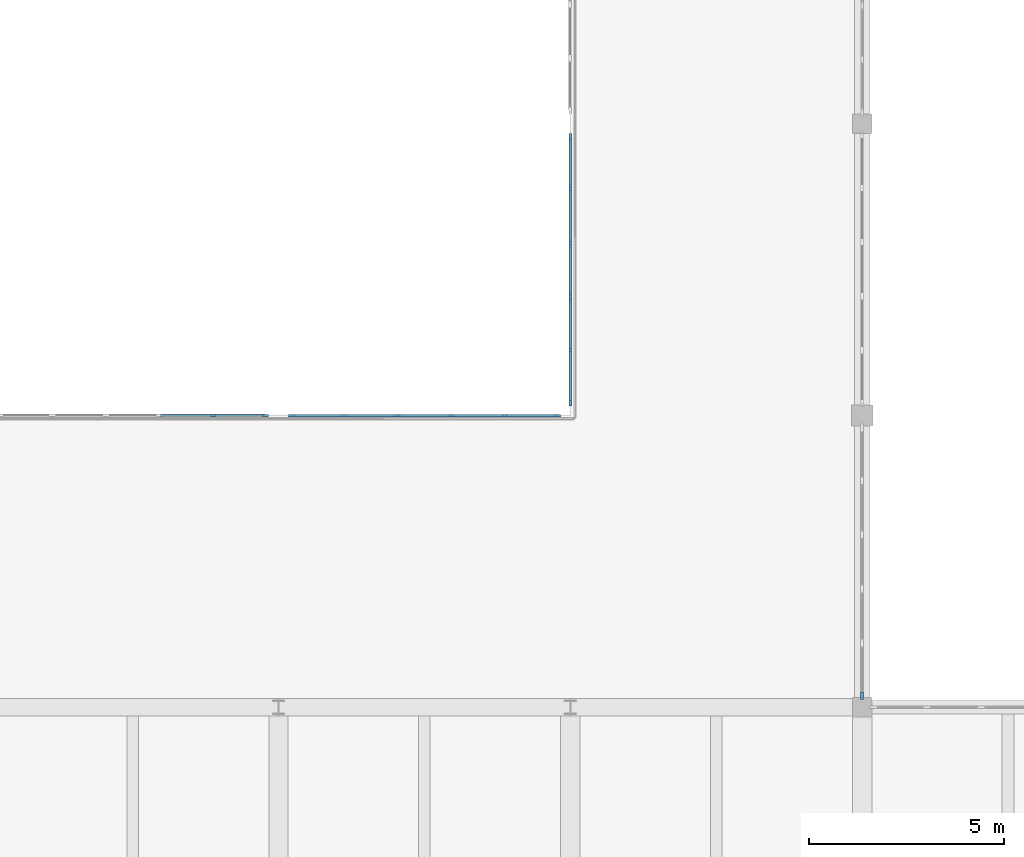
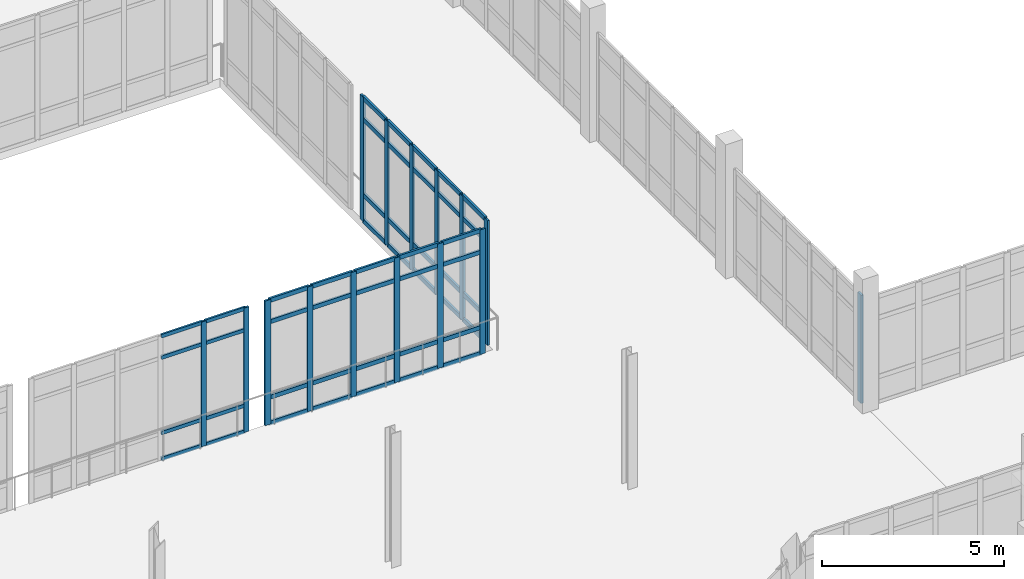
# One storey, part 38 of 128: 63 members, 4 elements without a shape of their own.
"""IFC4 building model written with IfcOpenShell, lengths in metres."""

from ifc_helpers import new_model, si_unit, direction, frame, origin, origin_2d, place, context, subcontext, project, spatial, rectangle, extrude, material, layer, layer_set, material_profile, profile_set, type_object, element, aggregate, save


model = new_model("IFC4")

# Units and contexts
model_context = context("Model", 3, precision=1e-05, world=origin(), true_north=direction((0.0, 1.0)))
body_context = subcontext(model_context, "Body", "Model", "MODEL_VIEW")
ifc_project = project(units=[si_unit("LENGTHUNIT", "METRE"), si_unit("AREAUNIT", "SQUARE_METRE"), si_unit("VOLUMEUNIT", "CUBIC_METRE"), si_unit("PLANEANGLEUNIT", "RADIAN"), si_unit("MASSUNIT", "GRAM", prefix="KILO")], contexts=[model_context])

# Site, building, storey
site_placement = place(None, origin())
site = spatial("IfcSite", under=ifc_project, at=site_placement, CompositionType="ELEMENT")
building_placement = place(site_placement, origin())
building = spatial("IfcBuilding", under=site, at=building_placement, Name="Dalvernix Boulevard General Hospital", CompositionType="ELEMENT")
storey_placement = place(building_placement, frame((0.0, 0.0, 4.800048828125)))
storey = spatial("IfcBuildingStorey", under=building, at=storey_placement, Name="L01", CompositionType="ELEMENT", Elevation=4.800048828125)

# Curtain wall, members
ifc_material_1 = material(Name="Thermally broken aluminium and solar-control glass curtain wall", Category="aluminium")
ifc_layer_1 = layer(ifc_material_1, 0.159912109375)
ifc_layer_set_1 = layer_set([ifc_layer_1], Name="Thermally broken aluminium and solar-control glass curtain wall (CW-CW-A-69x42)")
curtain_wall_type_1 = type_object("IfcCurtainWallType", Name="CW-CW-A-69x42", PredefinedType="USERDEFINED", material=ifc_layer_set_1)
curtain_wall_1_placement = place(storey_placement, origin())
curtain_wall_1 = element("IfcCurtainWall", 1, at=curtain_wall_1_placement, inside=storey, type_object=curtain_wall_type_1, Name="L01 curtain wall CW-A-69x42 12-5", ObjectType="GLAZED FACADE", PredefinedType="USERDEFINED")
ifc_material_2 = material(Name="Aluminium EN AW-6060", Category="aluminium")
ifc_material_profile_1 = material_profile(ifc_material_2, rectangle(XDim=0.06005859375, YDim=0.159912109375, at=origin_2d()), Name="ALU MULL 60x160")
ifc_profile_set_1 = profile_set([ifc_material_profile_1], Name="Aluminium EN AW-6060")
member_type_1 = type_object("IfcMemberType", Name="MEM-CW-M1", PredefinedType="MULLION", material=ifc_profile_set_1)
member_1_placement = place(storey_placement, frame((95.81396484375, 39.0, 0.0), z_axis=(0.0, 0.0, 1.0), x_axis=(0.0, 1.0, 0.0)))
member_1 = element("IfcMember", 2, at=member_1_placement, type_object=member_type_1, Name="CW-A-69x42 mullion 5", PredefinedType="MULLION", context=body_context, shape_type="SweptSolid", body=[
    extrude(rectangle(XDim=0.06005859375, YDim=0.159912109375, at=origin_2d()), origin(), (0.0, 0.0, 1.0), 4.179931640625),
])
member_2_placement = place(storey_placement, frame((97.159912109375, 39.0, 0.0), z_axis=(0.0, 0.0, 1.0), x_axis=(0.0, 1.0, 0.0)))
member_2 = element("IfcMember", 3, at=member_2_placement, type_object=member_type_1, Name="CW-A-69x42 mullion 6", PredefinedType="MULLION", context=body_context, shape_type="SweptSolid", body=[
    extrude(rectangle(XDim=0.06005859375, YDim=0.159912109375, at=origin_2d()), origin(), (0.0, 0.0, 1.0), 4.179931640625),
])

ifc_layer_2 = layer(ifc_material_1, 0.179931640625)
ifc_layer_set_2 = layer_set([ifc_layer_2], Name="Thermally broken aluminium and solar-control glass curtain wall (CW-CW-B-69x42)")
curtain_wall_type_2 = type_object("IfcCurtainWallType", Name="CW-CW-B-69x42", PredefinedType="USERDEFINED", material=ifc_layer_set_2)
curtain_wall_2_placement = place(storey_placement, origin())
curtain_wall_2 = element("IfcCurtainWall", 4, at=curtain_wall_2_placement, inside=storey, type_object=curtain_wall_type_2, Name="L01 curtain wall CW-B-69x42 13-5", ObjectType="GLAZED FACADE", PredefinedType="USERDEFINED")
ifc_material_profile_2 = material_profile(ifc_material_2, rectangle(XDim=0.06494140625, YDim=0.179931640625, at=origin_2d()), Name="ALU MULL 65x180")
ifc_profile_set_2 = profile_set([ifc_material_profile_2], Name="Aluminium EN AW-6060")
member_type_2 = type_object("IfcMemberType", Name="MEM-CW-M2", PredefinedType="MULLION", material=ifc_profile_set_2)
member_3_placement = place(storey_placement, frame((97.842529296875, 39.0, 0.0), z_axis=(0.0, 0.0, 1.0), x_axis=(0.0, 1.0, 0.0)))
member_3 = element("IfcMember", 5, at=member_3_placement, type_object=member_type_2, Name="CW-B-69x42 mullion 1", PredefinedType="MULLION", context=body_context, shape_type="SweptSolid", body=[
    extrude(rectangle(XDim=0.06494140625, YDim=0.179931640625, at=origin_2d()), origin(), (0.0, 0.0, 1.0), 4.179931640625),
])
member_4_placement = place(storey_placement, frame((99.18603515625, 39.0, 0.0), z_axis=(0.0, 0.0, 1.0), x_axis=(0.0, 1.0, 0.0)))
member_4 = element("IfcMember", 6, at=member_4_placement, type_object=member_type_2, Name="CW-B-69x42 mullion 2", PredefinedType="MULLION", context=body_context, shape_type="SweptSolid", body=[
    extrude(rectangle(XDim=0.06494140625, YDim=0.179931640625, at=origin_2d()), origin(), (0.0, 0.0, 1.0), 4.179931640625),
])
member_5_placement = place(storey_placement, frame((100.56201171875, 39.0, 0.0), z_axis=(0.0, 0.0, 1.0), x_axis=(0.0, 1.0, 0.0)))
member_5 = element("IfcMember", 7, at=member_5_placement, type_object=member_type_2, Name="CW-B-69x42 mullion 3", PredefinedType="MULLION", context=body_context, shape_type="SweptSolid", body=[
    extrude(rectangle(XDim=0.06494140625, YDim=0.179931640625, at=origin_2d()), origin(), (0.0, 0.0, 1.0), 4.179931640625),
])
member_6_placement = place(storey_placement, frame((101.93798828125, 39.0, 0.0), z_axis=(0.0, 0.0, 1.0), x_axis=(0.0, 1.0, 0.0)))
member_6 = element("IfcMember", 8, at=member_6_placement, type_object=member_type_2, Name="CW-B-69x42 mullion 4", PredefinedType="MULLION", context=body_context, shape_type="SweptSolid", body=[
    extrude(rectangle(XDim=0.06494140625, YDim=0.179931640625, at=origin_2d()), origin(), (0.0, 0.0, 1.0), 4.179931640625),
])
member_7_placement = place(storey_placement, frame((103.31396484375, 39.0, 0.0), z_axis=(0.0, 0.0, 1.0), x_axis=(0.0, 1.0, 0.0)))
member_7 = element("IfcMember", 9, at=member_7_placement, type_object=member_type_2, Name="CW-B-69x42 mullion 5", PredefinedType="MULLION", context=body_context, shape_type="SweptSolid", body=[
    extrude(rectangle(XDim=0.06494140625, YDim=0.179931640625, at=origin_2d()), origin(), (0.0, 0.0, 1.0), 4.179931640625),
])
member_8_placement = place(storey_placement, frame((104.657470703125, 39.0, 0.0), z_axis=(0.0, 0.0, 1.0), x_axis=(0.0, 1.0, 0.0)))
member_8 = element("IfcMember", 10, at=member_8_placement, type_object=member_type_2, Name="CW-B-69x42 mullion 6", PredefinedType="MULLION", context=body_context, shape_type="SweptSolid", body=[
    extrude(rectangle(XDim=0.06494140625, YDim=0.179931640625, at=origin_2d()), origin(), (0.0, 0.0, 1.0), 4.179931640625),
])

# Curtain wall, member
ifc_layer_3 = layer(ifc_material_1, 0.199951171875)
ifc_layer_set_3 = layer_set([ifc_layer_3], Name="Thermally broken aluminium and solar-control glass curtain wall (CW-CW-C-70x36)")
curtain_wall_type_3 = type_object("IfcCurtainWallType", Name="CW-CW-C-70x36", PredefinedType="USERDEFINED", material=ifc_layer_set_3)
curtain_wall_3_placement = place(storey_placement, origin())
curtain_wall_3 = element("IfcCurtainWall", 11, at=curtain_wall_3_placement, inside=storey, type_object=curtain_wall_type_3, Name="L01 curtain wall CW-C-70x36 15-4", ObjectType="GLAZED FACADE", PredefinedType="USERDEFINED")
ifc_material_profile_3 = material_profile(ifc_material_2, rectangle(XDim=0.070068359375, YDim=0.199951171875, at=origin_2d()), Name="ALU MULL 70x200")
ifc_profile_set_3 = profile_set([ifc_material_profile_3], Name="Aluminium EN AW-6060")
member_type_3 = type_object("IfcMemberType", Name="MEM-CW-M3", PredefinedType="MULLION", material=ifc_profile_set_3)
member_9_placement = place(storey_placement, frame((112.5, 31.794921875, 0.0), z_axis=(0.0, 0.0, 1.0), x_axis=(1.0, 0.0, 0.0)))
member_9 = element("IfcMember", 12, at=member_9_placement, type_object=member_type_3, Name="CW-C-70x36 mullion 6", PredefinedType="MULLION", context=body_context, shape_type="SweptSolid", body=[
    extrude(rectangle(XDim=0.070068359375, YDim=0.199951171875, at=origin_2d()), origin(), (0.0, 0.0, 1.0), 3.6298828125),
])
aggregate(curtain_wall_3, [member_9])

# Curtain wall, members
ifc_layer_4 = layer(ifc_material_1, 0.199951171875)
ifc_layer_set_4 = layer_set([ifc_layer_4], Name="Thermally broken aluminium and solar-control glass curtain wall (CW-CW-C-69x42)")
curtain_wall_type_4 = type_object("IfcCurtainWallType", Name="CW-CW-C-69x42", PredefinedType="USERDEFINED", material=ifc_layer_set_4)
curtain_wall_4_placement = place(storey_placement, origin())
curtain_wall_4 = element("IfcCurtainWall", 13, at=curtain_wall_4_placement, inside=storey, type_object=curtain_wall_type_4, Name="L01 curtain wall CW-C-69x42 14-5", ObjectType="GLAZED FACADE", PredefinedType="USERDEFINED")
member_10_placement = place(storey_placement, frame((105.0, 39.344970703125, 0.0), z_axis=(0.0, 0.0, 1.0), x_axis=(-1.0, 0.0, 0.0)))
member_10 = element("IfcMember", 14, at=member_10_placement, type_object=member_type_3, Name="CW-C-69x42 mullion 1", PredefinedType="MULLION", context=body_context, shape_type="SweptSolid", body=[
    extrude(rectangle(XDim=0.070068359375, YDim=0.199951171875, at=origin_2d()), origin(), (0.0, 0.0, 1.0), 4.179931640625),
])
member_11_placement = place(storey_placement, frame((105.0, 40.68603515625, 0.0), z_axis=(0.0, 0.0, 1.0), x_axis=(-1.0, 0.0, 0.0)))
member_11 = element("IfcMember", 15, at=member_11_placement, type_object=member_type_3, Name="CW-C-69x42 mullion 2", PredefinedType="MULLION", context=body_context, shape_type="SweptSolid", body=[
    extrude(rectangle(XDim=0.070068359375, YDim=0.199951171875, at=origin_2d()), origin(), (0.0, 0.0, 1.0), 4.179931640625),
])
member_12_placement = place(storey_placement, frame((105.0, 42.06201171875, 0.0), z_axis=(0.0, 0.0, 1.0), x_axis=(-1.0, 0.0, 0.0)))
member_12 = element("IfcMember", 16, at=member_12_placement, type_object=member_type_3, Name="CW-C-69x42 mullion 3", PredefinedType="MULLION", context=body_context, shape_type="SweptSolid", body=[
    extrude(rectangle(XDim=0.070068359375, YDim=0.199951171875, at=origin_2d()), origin(), (0.0, 0.0, 1.0), 4.179931640625),
])
member_13_placement = place(storey_placement, frame((105.0, 43.43798828125, 0.0), z_axis=(0.0, 0.0, 1.0), x_axis=(-1.0, 0.0, 0.0)))
member_13 = element("IfcMember", 17, at=member_13_placement, type_object=member_type_3, Name="CW-C-69x42 mullion 4", PredefinedType="MULLION", context=body_context, shape_type="SweptSolid", body=[
    extrude(rectangle(XDim=0.070068359375, YDim=0.199951171875, at=origin_2d()), origin(), (0.0, 0.0, 1.0), 4.179931640625),
])
member_14_placement = place(storey_placement, frame((105.0, 44.81396484375, 0.0), z_axis=(0.0, 0.0, 1.0), x_axis=(-1.0, 0.0, 0.0)))
member_14 = element("IfcMember", 18, at=member_14_placement, type_object=member_type_3, Name="CW-C-69x42 mullion 5", PredefinedType="MULLION", context=body_context, shape_type="SweptSolid", body=[
    extrude(rectangle(XDim=0.070068359375, YDim=0.199951171875, at=origin_2d()), origin(), (0.0, 0.0, 1.0), 4.179931640625),
])
member_15_placement = place(storey_placement, frame((105.0, 46.155029296875, 0.0), z_axis=(0.0, 0.0, 1.0), x_axis=(-1.0, 0.0, 0.0)))
member_15 = element("IfcMember", 19, at=member_15_placement, type_object=member_type_3, Name="CW-C-69x42 mullion 6", PredefinedType="MULLION", context=body_context, shape_type="SweptSolid", body=[
    extrude(rectangle(XDim=0.070068359375, YDim=0.199951171875, at=origin_2d()), origin(), (0.0, 0.0, 1.0), 4.179931640625),
])

# Member
ifc_material_profile_4 = material_profile(ifc_material_2, rectangle(XDim=0.06005859375, YDim=0.1201171875, at=origin_2d()), Name="ALU TRAN 60x120")
ifc_profile_set_4 = profile_set([ifc_material_profile_4], Name="Aluminium EN AW-6060")
member_type_4 = type_object("IfcMemberType", Name="MEM-CW-T1", PredefinedType="USERDEFINED", material=ifc_profile_set_4)
member_16_placement = place(storey_placement, frame((94.468017578125, 39.0, 0.030029296875), z_axis=(1.0, 0.0, 0.0), x_axis=(0.0, 1.0, 0.0)))
member_16 = element("IfcMember", 20, at=member_16_placement, type_object=member_type_4, Name="CW-A-69x42 transom 4.1", ObjectType="TRANSOM", PredefinedType="USERDEFINED", context=body_context, shape_type="SweptSolid", body=[
    extrude(rectangle(XDim=0.06005859375, YDim=0.1201171875, at=origin_2d()), origin(), (0.0, 0.0, 1.0), 1.31591796875),
])

member_17_placement = place(storey_placement, frame((94.468017578125, 39.0, 0.89990234375), z_axis=(1.0, 0.0, 0.0), x_axis=(0.0, 1.0, 0.0)))
member_17 = element("IfcMember", 21, at=member_17_placement, type_object=member_type_4, Name="CW-A-69x42 transom 4.2", ObjectType="TRANSOM", PredefinedType="USERDEFINED", context=body_context, shape_type="SweptSolid", body=[
    extrude(rectangle(XDim=0.06005859375, YDim=0.1201171875, at=origin_2d()), origin(), (0.0, 0.0, 1.0), 1.31591796875),
])

member_18_placement = place(storey_placement, frame((94.468017578125, 39.0, 3.429931640625), z_axis=(1.0, 0.0, 0.0), x_axis=(0.0, 1.0, 0.0)))
member_18 = element("IfcMember", 22, at=member_18_placement, type_object=member_type_4, Name="CW-A-69x42 transom 4.3", ObjectType="TRANSOM", PredefinedType="USERDEFINED", context=body_context, shape_type="SweptSolid", body=[
    extrude(rectangle(XDim=0.06005859375, YDim=0.1201171875, at=origin_2d()), origin(), (0.0, 0.0, 1.0), 1.31591796875),
])

member_19_placement = place(storey_placement, frame((94.468017578125, 39.0, 4.14990234375), z_axis=(1.0, 0.0, 0.0), x_axis=(0.0, 1.0, 0.0)))
member_19 = element("IfcMember", 23, at=member_19_placement, type_object=member_type_4, Name="CW-A-69x42 transom 4.4", ObjectType="TRANSOM", PredefinedType="USERDEFINED", context=body_context, shape_type="SweptSolid", body=[
    extrude(rectangle(XDim=0.06005859375, YDim=0.1201171875, at=origin_2d()), origin(), (0.0, 0.0, 1.0), 1.31591796875),
])

member_20_placement = place(storey_placement, frame((95.843994140625, 39.0, 0.030029296875), z_axis=(1.0, 0.0, 0.0), x_axis=(0.0, 1.0, 0.0)))
member_20 = element("IfcMember", 24, at=member_20_placement, type_object=member_type_4, Name="CW-A-69x42 transom 5.1", ObjectType="TRANSOM", PredefinedType="USERDEFINED", context=body_context, shape_type="SweptSolid", body=[
    extrude(rectangle(XDim=0.06005859375, YDim=0.1201171875, at=origin_2d()), origin(), (0.0, 0.0, 1.0), 1.285888671875),
])

member_21_placement = place(storey_placement, frame((95.843994140625, 39.0, 0.89990234375), z_axis=(1.0, 0.0, 0.0), x_axis=(0.0, 1.0, 0.0)))
member_21 = element("IfcMember", 25, at=member_21_placement, type_object=member_type_4, Name="CW-A-69x42 transom 5.2", ObjectType="TRANSOM", PredefinedType="USERDEFINED", context=body_context, shape_type="SweptSolid", body=[
    extrude(rectangle(XDim=0.06005859375, YDim=0.1201171875, at=origin_2d()), origin(), (0.0, 0.0, 1.0), 1.285888671875),
])

member_22_placement = place(storey_placement, frame((95.843994140625, 39.0, 3.429931640625), z_axis=(1.0, 0.0, 0.0), x_axis=(0.0, 1.0, 0.0)))
member_22 = element("IfcMember", 26, at=member_22_placement, type_object=member_type_4, Name="CW-A-69x42 transom 5.3", ObjectType="TRANSOM", PredefinedType="USERDEFINED", context=body_context, shape_type="SweptSolid", body=[
    extrude(rectangle(XDim=0.06005859375, YDim=0.1201171875, at=origin_2d()), origin(), (0.0, 0.0, 1.0), 1.285888671875),
])

member_23_placement = place(storey_placement, frame((95.843994140625, 39.0, 4.14990234375), z_axis=(1.0, 0.0, 0.0), x_axis=(0.0, 1.0, 0.0)))
member_23 = element("IfcMember", 27, at=member_23_placement, type_object=member_type_4, Name="CW-A-69x42 transom 5.4", ObjectType="TRANSOM", PredefinedType="USERDEFINED", context=body_context, shape_type="SweptSolid", body=[
    extrude(rectangle(XDim=0.06005859375, YDim=0.1201171875, at=origin_2d()), origin(), (0.0, 0.0, 1.0), 1.285888671875),
])

aggregate(curtain_wall_1, [member_1, member_2, member_16, member_17, member_18, member_19, member_20, member_21, member_22, member_23])

ifc_material_profile_5 = material_profile(ifc_material_2, rectangle(XDim=0.06494140625, YDim=0.139892578125, at=origin_2d()), Name="ALU TRAN 65x140")
ifc_profile_set_5 = profile_set([ifc_material_profile_5], Name="Aluminium EN AW-6060")
member_type_5 = type_object("IfcMemberType", Name="MEM-CW-T2", PredefinedType="USERDEFINED", material=ifc_profile_set_5)
member_24_placement = place(storey_placement, frame((97.875, 39.0, 0.032470703125), z_axis=(1.0, 0.0, 0.0), x_axis=(0.0, 1.0, 0.0)))
member_24 = element("IfcMember", 28, at=member_24_placement, type_object=member_type_5, Name="CW-B-69x42 transom 1.1", ObjectType="TRANSOM", PredefinedType="USERDEFINED", context=body_context, shape_type="SweptSolid", body=[
    extrude(rectangle(XDim=0.06494140625, YDim=0.139892578125, at=origin_2d()), origin(), (0.0, 0.0, 1.0), 1.278564453125),
])

member_25_placement = place(storey_placement, frame((97.875, 39.0, 0.89990234375), z_axis=(1.0, 0.0, 0.0), x_axis=(0.0, 1.0, 0.0)))
member_25 = element("IfcMember", 29, at=member_25_placement, type_object=member_type_5, Name="CW-B-69x42 transom 1.2", ObjectType="TRANSOM", PredefinedType="USERDEFINED", context=body_context, shape_type="SweptSolid", body=[
    extrude(rectangle(XDim=0.06494140625, YDim=0.139892578125, at=origin_2d()), origin(), (0.0, 0.0, 1.0), 1.278564453125),
])

member_26_placement = place(storey_placement, frame((97.875, 39.0, 3.429931640625), z_axis=(1.0, 0.0, 0.0), x_axis=(0.0, 1.0, 0.0)))
member_26 = element("IfcMember", 30, at=member_26_placement, type_object=member_type_5, Name="CW-B-69x42 transom 1.3", ObjectType="TRANSOM", PredefinedType="USERDEFINED", context=body_context, shape_type="SweptSolid", body=[
    extrude(rectangle(XDim=0.06494140625, YDim=0.139892578125, at=origin_2d()), origin(), (0.0, 0.0, 1.0), 1.278564453125),
])

member_27_placement = place(storey_placement, frame((97.875, 39.0, 4.1474609375), z_axis=(1.0, 0.0, 0.0), x_axis=(0.0, 1.0, 0.0)))
member_27 = element("IfcMember", 31, at=member_27_placement, type_object=member_type_5, Name="CW-B-69x42 transom 1.4", ObjectType="TRANSOM", PredefinedType="USERDEFINED", context=body_context, shape_type="SweptSolid", body=[
    extrude(rectangle(XDim=0.06494140625, YDim=0.139892578125, at=origin_2d()), origin(), (0.0, 0.0, 1.0), 1.278564453125),
])

member_28_placement = place(storey_placement, frame((99.218505859375, 39.0, 0.032470703125), z_axis=(1.0, 0.0, 0.0), x_axis=(0.0, 1.0, 0.0)))
member_28 = element("IfcMember", 32, at=member_28_placement, type_object=member_type_5, Name="CW-B-69x42 transom 2.1", ObjectType="TRANSOM", PredefinedType="USERDEFINED", context=body_context, shape_type="SweptSolid", body=[
    extrude(rectangle(XDim=0.06494140625, YDim=0.139892578125, at=origin_2d()), origin(), (0.0, 0.0, 1.0), 1.31103515625),
])

member_29_placement = place(storey_placement, frame((99.218505859375, 39.0, 0.89990234375), z_axis=(1.0, 0.0, 0.0), x_axis=(0.0, 1.0, 0.0)))
member_29 = element("IfcMember", 33, at=member_29_placement, type_object=member_type_5, Name="CW-B-69x42 transom 2.2", ObjectType="TRANSOM", PredefinedType="USERDEFINED", context=body_context, shape_type="SweptSolid", body=[
    extrude(rectangle(XDim=0.06494140625, YDim=0.139892578125, at=origin_2d()), origin(), (0.0, 0.0, 1.0), 1.31103515625),
])

member_30_placement = place(storey_placement, frame((99.218505859375, 39.0, 3.429931640625), z_axis=(1.0, 0.0, 0.0), x_axis=(0.0, 1.0, 0.0)))
member_30 = element("IfcMember", 34, at=member_30_placement, type_object=member_type_5, Name="CW-B-69x42 transom 2.3", ObjectType="TRANSOM", PredefinedType="USERDEFINED", context=body_context, shape_type="SweptSolid", body=[
    extrude(rectangle(XDim=0.06494140625, YDim=0.139892578125, at=origin_2d()), origin(), (0.0, 0.0, 1.0), 1.31103515625),
])

member_31_placement = place(storey_placement, frame((99.218505859375, 39.0, 4.1474609375), z_axis=(1.0, 0.0, 0.0), x_axis=(0.0, 1.0, 0.0)))
member_31 = element("IfcMember", 35, at=member_31_placement, type_object=member_type_5, Name="CW-B-69x42 transom 2.4", ObjectType="TRANSOM", PredefinedType="USERDEFINED", context=body_context, shape_type="SweptSolid", body=[
    extrude(rectangle(XDim=0.06494140625, YDim=0.139892578125, at=origin_2d()), origin(), (0.0, 0.0, 1.0), 1.31103515625),
])

member_32_placement = place(storey_placement, frame((100.594482421875, 39.0, 0.032470703125), z_axis=(1.0, 0.0, 0.0), x_axis=(0.0, 1.0, 0.0)))
member_32 = element("IfcMember", 36, at=member_32_placement, type_object=member_type_5, Name="CW-B-69x42 transom 3.1", ObjectType="TRANSOM", PredefinedType="USERDEFINED", context=body_context, shape_type="SweptSolid", body=[
    extrude(rectangle(XDim=0.06494140625, YDim=0.139892578125, at=origin_2d()), origin(), (0.0, 0.0, 1.0), 1.31103515625),
])

member_33_placement = place(storey_placement, frame((100.594482421875, 39.0, 0.89990234375), z_axis=(1.0, 0.0, 0.0), x_axis=(0.0, 1.0, 0.0)))
member_33 = element("IfcMember", 37, at=member_33_placement, type_object=member_type_5, Name="CW-B-69x42 transom 3.2", ObjectType="TRANSOM", PredefinedType="USERDEFINED", context=body_context, shape_type="SweptSolid", body=[
    extrude(rectangle(XDim=0.06494140625, YDim=0.139892578125, at=origin_2d()), origin(), (0.0, 0.0, 1.0), 1.31103515625),
])

member_34_placement = place(storey_placement, frame((100.594482421875, 39.0, 3.429931640625), z_axis=(1.0, 0.0, 0.0), x_axis=(0.0, 1.0, 0.0)))
member_34 = element("IfcMember", 38, at=member_34_placement, type_object=member_type_5, Name="CW-B-69x42 transom 3.3", ObjectType="TRANSOM", PredefinedType="USERDEFINED", context=body_context, shape_type="SweptSolid", body=[
    extrude(rectangle(XDim=0.06494140625, YDim=0.139892578125, at=origin_2d()), origin(), (0.0, 0.0, 1.0), 1.31103515625),
])

member_35_placement = place(storey_placement, frame((100.594482421875, 39.0, 4.1474609375), z_axis=(1.0, 0.0, 0.0), x_axis=(0.0, 1.0, 0.0)))
member_35 = element("IfcMember", 39, at=member_35_placement, type_object=member_type_5, Name="CW-B-69x42 transom 3.4", ObjectType="TRANSOM", PredefinedType="USERDEFINED", context=body_context, shape_type="SweptSolid", body=[
    extrude(rectangle(XDim=0.06494140625, YDim=0.139892578125, at=origin_2d()), origin(), (0.0, 0.0, 1.0), 1.31103515625),
])

member_36_placement = place(storey_placement, frame((101.970458984375, 39.0, 0.032470703125), z_axis=(1.0, 0.0, 0.0), x_axis=(0.0, 1.0, 0.0)))
member_36 = element("IfcMember", 40, at=member_36_placement, type_object=member_type_5, Name="CW-B-69x42 transom 4.1", ObjectType="TRANSOM", PredefinedType="USERDEFINED", context=body_context, shape_type="SweptSolid", body=[
    extrude(rectangle(XDim=0.06494140625, YDim=0.139892578125, at=origin_2d()), origin(), (0.0, 0.0, 1.0), 1.31103515625),
])

member_37_placement = place(storey_placement, frame((101.970458984375, 39.0, 0.89990234375), z_axis=(1.0, 0.0, 0.0), x_axis=(0.0, 1.0, 0.0)))
member_37 = element("IfcMember", 41, at=member_37_placement, type_object=member_type_5, Name="CW-B-69x42 transom 4.2", ObjectType="TRANSOM", PredefinedType="USERDEFINED", context=body_context, shape_type="SweptSolid", body=[
    extrude(rectangle(XDim=0.06494140625, YDim=0.139892578125, at=origin_2d()), origin(), (0.0, 0.0, 1.0), 1.31103515625),
])

member_38_placement = place(storey_placement, frame((101.970458984375, 39.0, 3.429931640625), z_axis=(1.0, 0.0, 0.0), x_axis=(0.0, 1.0, 0.0)))
member_38 = element("IfcMember", 42, at=member_38_placement, type_object=member_type_5, Name="CW-B-69x42 transom 4.3", ObjectType="TRANSOM", PredefinedType="USERDEFINED", context=body_context, shape_type="SweptSolid", body=[
    extrude(rectangle(XDim=0.06494140625, YDim=0.139892578125, at=origin_2d()), origin(), (0.0, 0.0, 1.0), 1.31103515625),
])

member_39_placement = place(storey_placement, frame((101.970458984375, 39.0, 4.1474609375), z_axis=(1.0, 0.0, 0.0), x_axis=(0.0, 1.0, 0.0)))
member_39 = element("IfcMember", 43, at=member_39_placement, type_object=member_type_5, Name="CW-B-69x42 transom 4.4", ObjectType="TRANSOM", PredefinedType="USERDEFINED", context=body_context, shape_type="SweptSolid", body=[
    extrude(rectangle(XDim=0.06494140625, YDim=0.139892578125, at=origin_2d()), origin(), (0.0, 0.0, 1.0), 1.31103515625),
])

member_40_placement = place(storey_placement, frame((103.346435546875, 39.0, 0.032470703125), z_axis=(1.0, 0.0, 0.0), x_axis=(0.0, 1.0, 0.0)))
member_40 = element("IfcMember", 44, at=member_40_placement, type_object=member_type_5, Name="CW-B-69x42 transom 5.1", ObjectType="TRANSOM", PredefinedType="USERDEFINED", context=body_context, shape_type="SweptSolid", body=[
    extrude(rectangle(XDim=0.06494140625, YDim=0.139892578125, at=origin_2d()), origin(), (0.0, 0.0, 1.0), 1.278564453125),
])

member_41_placement = place(storey_placement, frame((103.346435546875, 39.0, 0.89990234375), z_axis=(1.0, 0.0, 0.0), x_axis=(0.0, 1.0, 0.0)))
member_41 = element("IfcMember", 45, at=member_41_placement, type_object=member_type_5, Name="CW-B-69x42 transom 5.2", ObjectType="TRANSOM", PredefinedType="USERDEFINED", context=body_context, shape_type="SweptSolid", body=[
    extrude(rectangle(XDim=0.06494140625, YDim=0.139892578125, at=origin_2d()), origin(), (0.0, 0.0, 1.0), 1.278564453125),
])

member_42_placement = place(storey_placement, frame((103.346435546875, 39.0, 3.429931640625), z_axis=(1.0, 0.0, 0.0), x_axis=(0.0, 1.0, 0.0)))
member_42 = element("IfcMember", 46, at=member_42_placement, type_object=member_type_5, Name="CW-B-69x42 transom 5.3", ObjectType="TRANSOM", PredefinedType="USERDEFINED", context=body_context, shape_type="SweptSolid", body=[
    extrude(rectangle(XDim=0.06494140625, YDim=0.139892578125, at=origin_2d()), origin(), (0.0, 0.0, 1.0), 1.278564453125),
])

member_43_placement = place(storey_placement, frame((103.346435546875, 39.0, 4.1474609375), z_axis=(1.0, 0.0, 0.0), x_axis=(0.0, 1.0, 0.0)))
member_43 = element("IfcMember", 47, at=member_43_placement, type_object=member_type_5, Name="CW-B-69x42 transom 5.4", ObjectType="TRANSOM", PredefinedType="USERDEFINED", context=body_context, shape_type="SweptSolid", body=[
    extrude(rectangle(XDim=0.06494140625, YDim=0.139892578125, at=origin_2d()), origin(), (0.0, 0.0, 1.0), 1.278564453125),
])

aggregate(curtain_wall_2, [member_3, member_4, member_5, member_6, member_7, member_8, member_24, member_25, member_26, member_27, member_28, member_29, member_30, member_31, member_32, member_33, member_34, member_35, member_36, member_37, member_38, member_39, member_40, member_41, member_42, member_43])

ifc_material_profile_6 = material_profile(ifc_material_2, rectangle(XDim=0.070068359375, YDim=0.14990234375, at=origin_2d()), Name="ALU TRAN 70x150")
ifc_profile_set_6 = profile_set([ifc_material_profile_6], Name="Aluminium EN AW-6060")
member_type_6 = type_object("IfcMemberType", Name="MEM-CW-T3", PredefinedType="USERDEFINED", material=ifc_profile_set_6)
member_44_placement = place(storey_placement, frame((105.0, 39.3798828125, 0.034912109375), z_axis=(0.0, 1.0, 0.0), x_axis=(-1.0, 0.0, 0.0)))
member_44 = element("IfcMember", 48, at=member_44_placement, type_object=member_type_6, Name="CW-C-69x42 transom 1.1", ObjectType="TRANSOM", PredefinedType="USERDEFINED", context=body_context, shape_type="SweptSolid", body=[
    extrude(rectangle(XDim=0.070068359375, YDim=0.14990234375, at=origin_2d()), origin(), (0.0, 0.0, 1.0), 1.27099609375),
])

member_45_placement = place(storey_placement, frame((105.0, 39.3798828125, 0.89990234375), z_axis=(0.0, 1.0, 0.0), x_axis=(-1.0, 0.0, 0.0)))
member_45 = element("IfcMember", 49, at=member_45_placement, type_object=member_type_6, Name="CW-C-69x42 transom 1.2", ObjectType="TRANSOM", PredefinedType="USERDEFINED", context=body_context, shape_type="SweptSolid", body=[
    extrude(rectangle(XDim=0.070068359375, YDim=0.14990234375, at=origin_2d()), origin(), (0.0, 0.0, 1.0), 1.27099609375),
])

member_46_placement = place(storey_placement, frame((105.0, 39.3798828125, 3.429931640625), z_axis=(0.0, 1.0, 0.0), x_axis=(-1.0, 0.0, 0.0)))
member_46 = element("IfcMember", 50, at=member_46_placement, type_object=member_type_6, Name="CW-C-69x42 transom 1.3", ObjectType="TRANSOM", PredefinedType="USERDEFINED", context=body_context, shape_type="SweptSolid", body=[
    extrude(rectangle(XDim=0.070068359375, YDim=0.14990234375, at=origin_2d()), origin(), (0.0, 0.0, 1.0), 1.27099609375),
])

member_47_placement = place(storey_placement, frame((105.0, 39.3798828125, 4.14501953125), z_axis=(0.0, 1.0, 0.0), x_axis=(-1.0, 0.0, 0.0)))
member_47 = element("IfcMember", 51, at=member_47_placement, type_object=member_type_6, Name="CW-C-69x42 transom 1.4", ObjectType="TRANSOM", PredefinedType="USERDEFINED", context=body_context, shape_type="SweptSolid", body=[
    extrude(rectangle(XDim=0.070068359375, YDim=0.14990234375, at=origin_2d()), origin(), (0.0, 0.0, 1.0), 1.27099609375),
])

member_48_placement = place(storey_placement, frame((105.0, 40.720947265625, 0.034912109375), z_axis=(0.0, 1.0, 0.0), x_axis=(-1.0, 0.0, 0.0)))
member_48 = element("IfcMember", 52, at=member_48_placement, type_object=member_type_6, Name="CW-C-69x42 transom 2.1", ObjectType="TRANSOM", PredefinedType="USERDEFINED", context=body_context, shape_type="SweptSolid", body=[
    extrude(rectangle(XDim=0.070068359375, YDim=0.14990234375, at=origin_2d()), origin(), (0.0, 0.0, 1.0), 1.30615234375),
])

member_49_placement = place(storey_placement, frame((105.0, 40.720947265625, 0.89990234375), z_axis=(0.0, 1.0, 0.0), x_axis=(-1.0, 0.0, 0.0)))
member_49 = element("IfcMember", 53, at=member_49_placement, type_object=member_type_6, Name="CW-C-69x42 transom 2.2", ObjectType="TRANSOM", PredefinedType="USERDEFINED", context=body_context, shape_type="SweptSolid", body=[
    extrude(rectangle(XDim=0.070068359375, YDim=0.14990234375, at=origin_2d()), origin(), (0.0, 0.0, 1.0), 1.30615234375),
])

member_50_placement = place(storey_placement, frame((105.0, 40.720947265625, 3.429931640625), z_axis=(0.0, 1.0, 0.0), x_axis=(-1.0, 0.0, 0.0)))
member_50 = element("IfcMember", 54, at=member_50_placement, type_object=member_type_6, Name="CW-C-69x42 transom 2.3", ObjectType="TRANSOM", PredefinedType="USERDEFINED", context=body_context, shape_type="SweptSolid", body=[
    extrude(rectangle(XDim=0.070068359375, YDim=0.14990234375, at=origin_2d()), origin(), (0.0, 0.0, 1.0), 1.30615234375),
])

member_51_placement = place(storey_placement, frame((105.0, 40.720947265625, 4.14501953125), z_axis=(0.0, 1.0, 0.0), x_axis=(-1.0, 0.0, 0.0)))
member_51 = element("IfcMember", 55, at=member_51_placement, type_object=member_type_6, Name="CW-C-69x42 transom 2.4", ObjectType="TRANSOM", PredefinedType="USERDEFINED", context=body_context, shape_type="SweptSolid", body=[
    extrude(rectangle(XDim=0.070068359375, YDim=0.14990234375, at=origin_2d()), origin(), (0.0, 0.0, 1.0), 1.30615234375),
])

member_52_placement = place(storey_placement, frame((105.0, 42.096923828125, 0.034912109375), z_axis=(0.0, 1.0, 0.0), x_axis=(-1.0, 0.0, 0.0)))
member_52 = element("IfcMember", 56, at=member_52_placement, type_object=member_type_6, Name="CW-C-69x42 transom 3.1", ObjectType="TRANSOM", PredefinedType="USERDEFINED", context=body_context, shape_type="SweptSolid", body=[
    extrude(rectangle(XDim=0.070068359375, YDim=0.14990234375, at=origin_2d()), origin(), (0.0, 0.0, 1.0), 1.30615234375),
])

member_53_placement = place(storey_placement, frame((105.0, 42.096923828125, 0.89990234375), z_axis=(0.0, 1.0, 0.0), x_axis=(-1.0, 0.0, 0.0)))
member_53 = element("IfcMember", 57, at=member_53_placement, type_object=member_type_6, Name="CW-C-69x42 transom 3.2", ObjectType="TRANSOM", PredefinedType="USERDEFINED", context=body_context, shape_type="SweptSolid", body=[
    extrude(rectangle(XDim=0.070068359375, YDim=0.14990234375, at=origin_2d()), origin(), (0.0, 0.0, 1.0), 1.30615234375),
])

member_54_placement = place(storey_placement, frame((105.0, 42.096923828125, 3.429931640625), z_axis=(0.0, 1.0, 0.0), x_axis=(-1.0, 0.0, 0.0)))
member_54 = element("IfcMember", 58, at=member_54_placement, type_object=member_type_6, Name="CW-C-69x42 transom 3.3", ObjectType="TRANSOM", PredefinedType="USERDEFINED", context=body_context, shape_type="SweptSolid", body=[
    extrude(rectangle(XDim=0.070068359375, YDim=0.14990234375, at=origin_2d()), origin(), (0.0, 0.0, 1.0), 1.30615234375),
])

member_55_placement = place(storey_placement, frame((105.0, 42.096923828125, 4.14501953125), z_axis=(0.0, 1.0, 0.0), x_axis=(-1.0, 0.0, 0.0)))
member_55 = element("IfcMember", 59, at=member_55_placement, type_object=member_type_6, Name="CW-C-69x42 transom 3.4", ObjectType="TRANSOM", PredefinedType="USERDEFINED", context=body_context, shape_type="SweptSolid", body=[
    extrude(rectangle(XDim=0.070068359375, YDim=0.14990234375, at=origin_2d()), origin(), (0.0, 0.0, 1.0), 1.30615234375),
])

member_56_placement = place(storey_placement, frame((105.0, 43.472900390625, 0.034912109375), z_axis=(0.0, 1.0, 0.0), x_axis=(-1.0, 0.0, 0.0)))
member_56 = element("IfcMember", 60, at=member_56_placement, type_object=member_type_6, Name="CW-C-69x42 transom 4.1", ObjectType="TRANSOM", PredefinedType="USERDEFINED", context=body_context, shape_type="SweptSolid", body=[
    extrude(rectangle(XDim=0.070068359375, YDim=0.14990234375, at=origin_2d()), origin(), (0.0, 0.0, 1.0), 1.30615234375),
])

member_57_placement = place(storey_placement, frame((105.0, 43.472900390625, 0.89990234375), z_axis=(0.0, 1.0, 0.0), x_axis=(-1.0, 0.0, 0.0)))
member_57 = element("IfcMember", 61, at=member_57_placement, type_object=member_type_6, Name="CW-C-69x42 transom 4.2", ObjectType="TRANSOM", PredefinedType="USERDEFINED", context=body_context, shape_type="SweptSolid", body=[
    extrude(rectangle(XDim=0.070068359375, YDim=0.14990234375, at=origin_2d()), origin(), (0.0, 0.0, 1.0), 1.30615234375),
])

member_58_placement = place(storey_placement, frame((105.0, 43.472900390625, 3.429931640625), z_axis=(0.0, 1.0, 0.0), x_axis=(-1.0, 0.0, 0.0)))
member_58 = element("IfcMember", 62, at=member_58_placement, type_object=member_type_6, Name="CW-C-69x42 transom 4.3", ObjectType="TRANSOM", PredefinedType="USERDEFINED", context=body_context, shape_type="SweptSolid", body=[
    extrude(rectangle(XDim=0.070068359375, YDim=0.14990234375, at=origin_2d()), origin(), (0.0, 0.0, 1.0), 1.30615234375),
])

member_59_placement = place(storey_placement, frame((105.0, 43.472900390625, 4.14501953125), z_axis=(0.0, 1.0, 0.0), x_axis=(-1.0, 0.0, 0.0)))
member_59 = element("IfcMember", 63, at=member_59_placement, type_object=member_type_6, Name="CW-C-69x42 transom 4.4", ObjectType="TRANSOM", PredefinedType="USERDEFINED", context=body_context, shape_type="SweptSolid", body=[
    extrude(rectangle(XDim=0.070068359375, YDim=0.14990234375, at=origin_2d()), origin(), (0.0, 0.0, 1.0), 1.30615234375),
])

member_60_placement = place(storey_placement, frame((105.0, 44.84912109375, 0.034912109375), z_axis=(0.0, 1.0, 0.0), x_axis=(-1.0, 0.0, 0.0)))
member_60 = element("IfcMember", 64, at=member_60_placement, type_object=member_type_6, Name="CW-C-69x42 transom 5.1", ObjectType="TRANSOM", PredefinedType="USERDEFINED", context=body_context, shape_type="SweptSolid", body=[
    extrude(rectangle(XDim=0.070068359375, YDim=0.14990234375, at=origin_2d()), origin(), (0.0, 0.0, 1.0), 1.27099609375),
])

member_61_placement = place(storey_placement, frame((105.0, 44.84912109375, 0.89990234375), z_axis=(0.0, 1.0, 0.0), x_axis=(-1.0, 0.0, 0.0)))
member_61 = element("IfcMember", 65, at=member_61_placement, type_object=member_type_6, Name="CW-C-69x42 transom 5.2", ObjectType="TRANSOM", PredefinedType="USERDEFINED", context=body_context, shape_type="SweptSolid", body=[
    extrude(rectangle(XDim=0.070068359375, YDim=0.14990234375, at=origin_2d()), origin(), (0.0, 0.0, 1.0), 1.27099609375),
])

member_62_placement = place(storey_placement, frame((105.0, 44.84912109375, 3.429931640625), z_axis=(0.0, 1.0, 0.0), x_axis=(-1.0, 0.0, 0.0)))
member_62 = element("IfcMember", 66, at=member_62_placement, type_object=member_type_6, Name="CW-C-69x42 transom 5.3", ObjectType="TRANSOM", PredefinedType="USERDEFINED", context=body_context, shape_type="SweptSolid", body=[
    extrude(rectangle(XDim=0.070068359375, YDim=0.14990234375, at=origin_2d()), origin(), (0.0, 0.0, 1.0), 1.27099609375),
])

member_63_placement = place(storey_placement, frame((105.0, 44.84912109375, 4.14501953125), z_axis=(0.0, 1.0, 0.0), x_axis=(-1.0, 0.0, 0.0)))
member_63 = element("IfcMember", 67, at=member_63_placement, type_object=member_type_6, Name="CW-C-69x42 transom 5.4", ObjectType="TRANSOM", PredefinedType="USERDEFINED", context=body_context, shape_type="SweptSolid", body=[
    extrude(rectangle(XDim=0.070068359375, YDim=0.14990234375, at=origin_2d()), origin(), (0.0, 0.0, 1.0), 1.27099609375),
])

aggregate(curtain_wall_4, [member_10, member_11, member_12, member_13, member_14, member_15, member_44, member_45, member_46, member_47, member_48, member_49, member_50, member_51, member_52, member_53, member_54, member_55, member_56, member_57, member_58, member_59, member_60, member_61, member_62, member_63])

save(model, "model.ifc")
